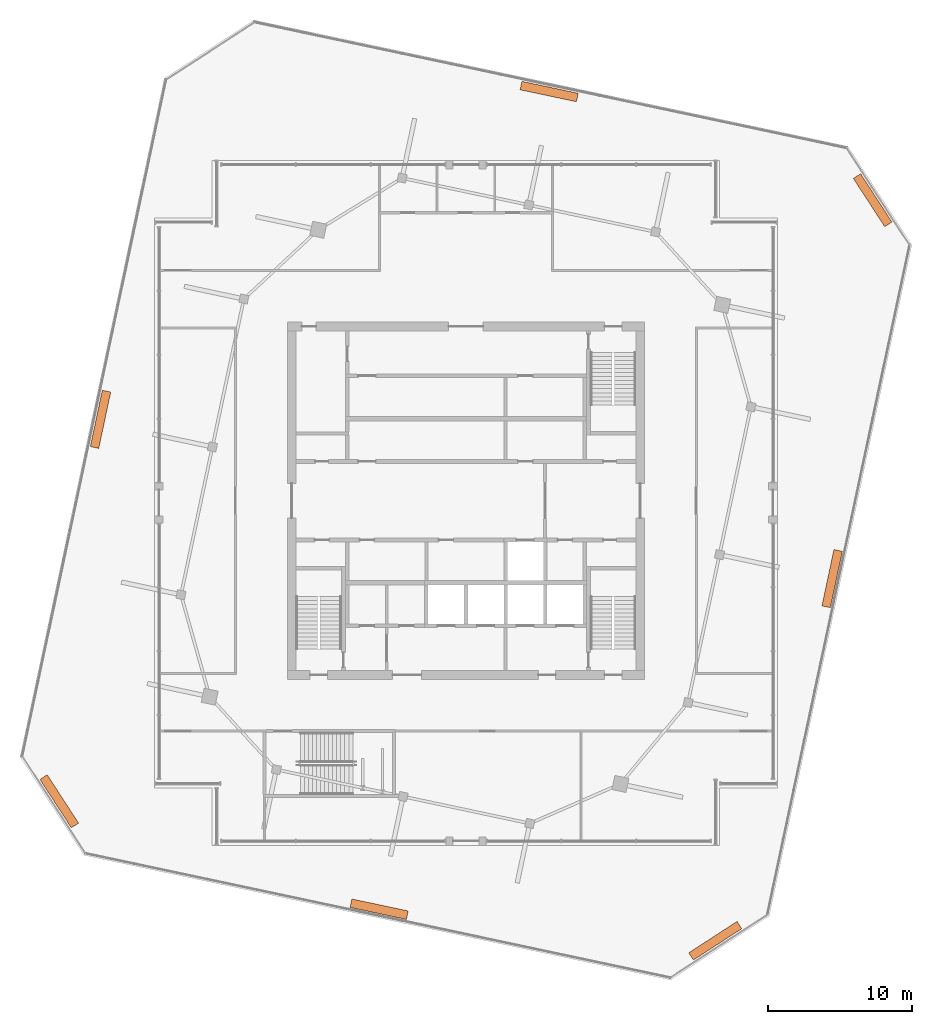
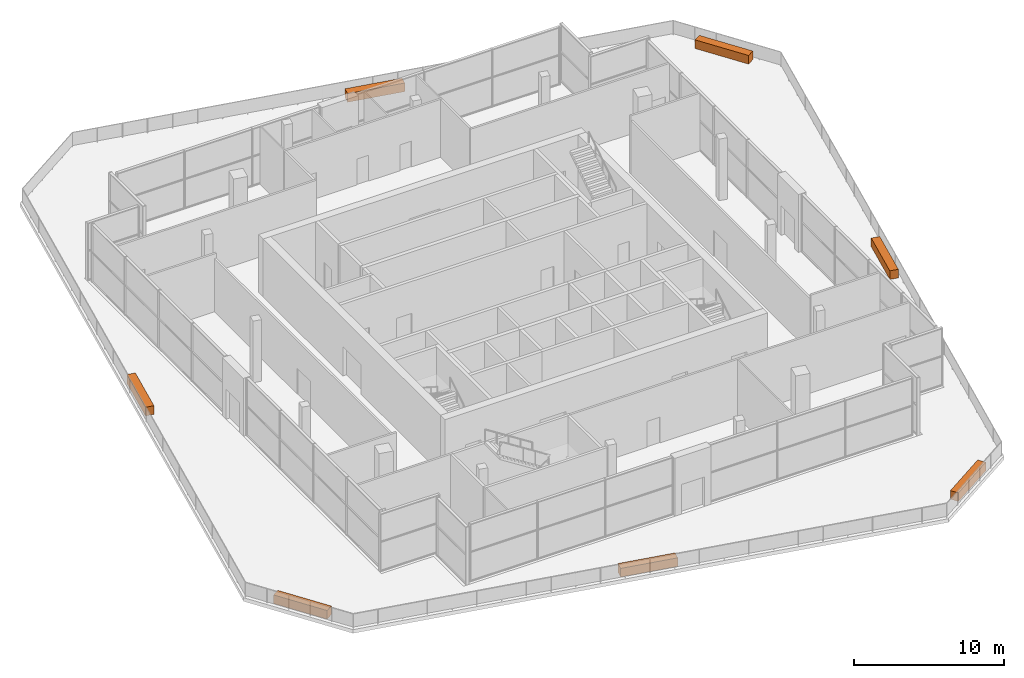
# One storey, part 14 of 14: 7 proxies.
"""IFC4 building model written with IfcOpenShell, lengths in metres."""

from ifc_helpers import new_model, si_unit, direction, frame, origin, origin_2d, place, context, subcontext, project, spatial, rectangle, extrude, element, save


model = new_model("IFC4")

# Units and contexts
model_context = context("Model", 3, precision=1e-05, world=origin(), true_north=direction((0.0, 1.0)))
body_context = subcontext(model_context, "Body", "Model", "MODEL_VIEW")
ifc_project = project(units=[si_unit("LENGTHUNIT", "METRE"), si_unit("AREAUNIT", "SQUARE_METRE"), si_unit("VOLUMEUNIT", "CUBIC_METRE"), si_unit("PLANEANGLEUNIT", "RADIAN"), si_unit("MASSUNIT", "GRAM", prefix="KILO")], contexts=[model_context])

# Site, building, storey
site_placement = place(None, origin())
site = spatial("IfcSite", under=ifc_project, at=site_placement, CompositionType="ELEMENT")
building_placement = place(site_placement, origin())
building = spatial("IfcBuilding", under=site, at=building_placement, Name="Dilmun Exchange Tower", CompositionType="ELEMENT")
storey_placement = place(building_placement, frame((0.0, 0.0, 368.10009765625)))
storey = spatial("IfcBuildingStorey", under=building, at=storey_placement, Name="Crown L86", CompositionType="ELEMENT", Elevation=368.10009765625)

# Proxies
for number, where, z_axis, x_axis, name in (
    (1, (25.431884765625, -5.40576171875, 0.0), (0.0, 0.0, 1.0), (0.207911690818, 0.978147600734, 0.0), "PLANTER deck parapet 1"),
    (2, (28.244384765625, 20.87158203125, 0.0), (0.0, 0.0, 1.0), (-0.544639035015, 0.838670567945, 0.0), "PLANTER deck parapet 2"),
    (3, (5.77978515625, 28.419189453125, 0.0), (0.0, 0.0, 1.0), (-0.978147600734, 0.207911690818, 0.0), "PLANTER deck parapet 3"),
    (4, (-25.37890625, 5.6552734375, 0.0), (0.0, 0.0, 1.0), (-0.207911690818, -0.978147600734, 0.0), "PLANTER deck parapet 4"),
    (5, (-28.244384765625, -20.87158203125, 0.0), (0.0, 0.0, 1.0), (0.544639035015, -0.838670567945, 0.0), "PLANTER deck parapet 5"),
    (6, (-6.029296875, -28.3662109375, 0.0), (0.0, 0.0, 1.0), (0.978147600734, -0.207911690818, 0.0), "PLANTER deck parapet 6"),
    (7, (17.313232421875, -30.554931640625, 0.0), (0.0, 0.0, 1.0), (0.838670567945, 0.544639035015, 0.0), "PLANTER deck parapet 7"),
):
    element("IfcBuildingElementProxy", number, at=place(storey_placement, frame(where, z_axis=z_axis, x_axis=x_axis)), inside=storey, Name=name, ObjectType="PLANTER", PredefinedType="USERDEFINED", context=body_context, shape_type="SweptSolid", body=[
        extrude(rectangle(XDim=4.0, YDim=0.60009765625, at=origin_2d()), origin(), (0.0, 0.0, 1.0), 0.699951171875),
    ])

save(model, "model.ifc")
